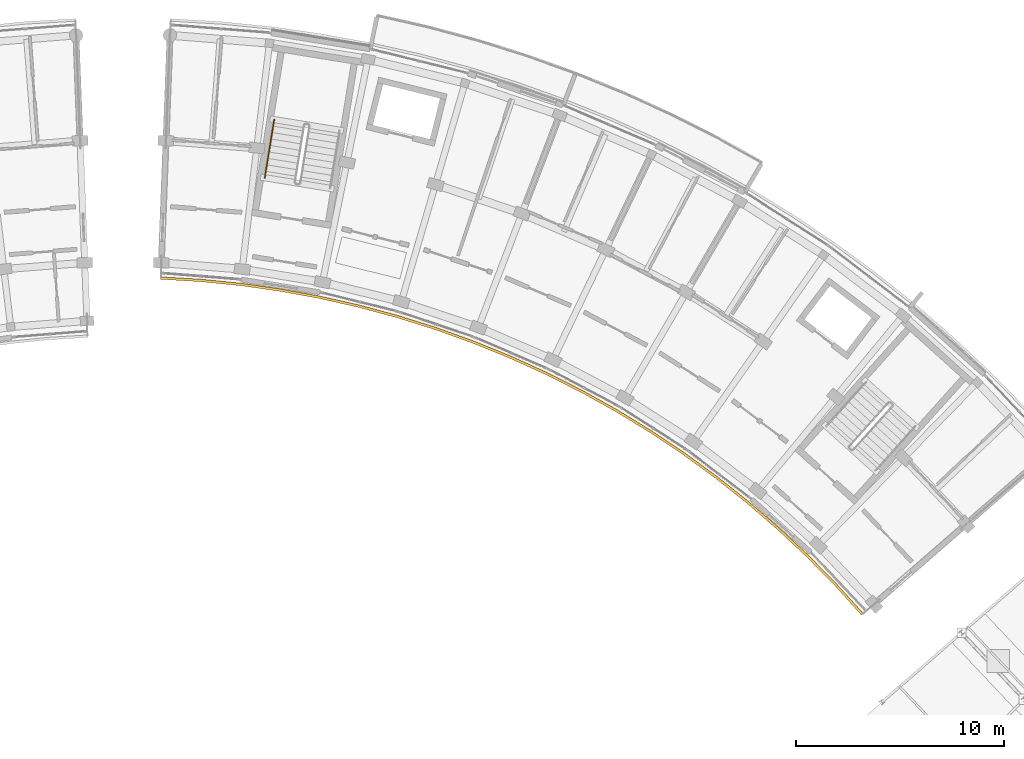
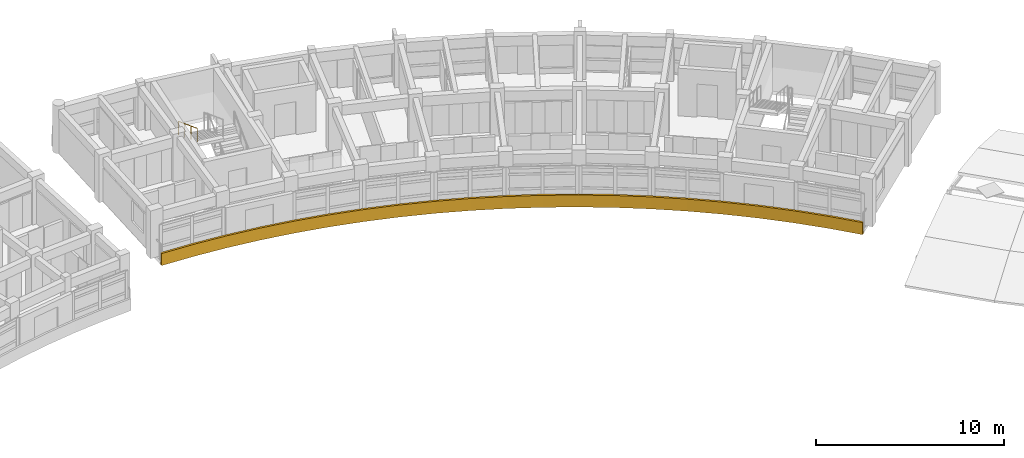
# One storey, part 36 of 40: 2 railings.
"""IFC4 building model written with IfcOpenShell, lengths in metres."""

from ifc_helpers import new_model, si_unit, direction, frame, origin, origin_2d, place, context, subcontext, project, spatial, polyline, circle, outline, extrude, material, type_object, element, save


model = new_model("IFC4")

# Units and contexts
model_context = context("Model", 3, precision=1e-05, world=origin(), true_north=direction((0.0, 1.0)))
body_context = subcontext(model_context, "Body", "Model", "MODEL_VIEW")
ifc_project = project(units=[si_unit("LENGTHUNIT", "METRE"), si_unit("AREAUNIT", "SQUARE_METRE"), si_unit("VOLUMEUNIT", "CUBIC_METRE"), si_unit("PLANEANGLEUNIT", "RADIAN"), si_unit("MASSUNIT", "GRAM", prefix="KILO")], contexts=[model_context])

# Site, building, storey
site_placement = place(None, origin())
site = spatial("IfcSite", under=ifc_project, at=site_placement, CompositionType="ELEMENT")
building_placement = place(site_placement, origin())
building = spatial("IfcBuilding", under=site, at=building_placement, Name="Zimvara Arc Housing Community", CompositionType="ELEMENT")
storey_placement = place(building_placement, frame((0.0, 0.0, 32.89990234375)))
storey = spatial("IfcBuildingStorey", under=building, at=storey_placement, Name="L10", CompositionType="ELEMENT", Elevation=32.89990234375)

# Railings
ifc_material_1 = material(Name="Pale-Gold Anodised Aluminium AW-6063", Category="aluminium")
railing_type_1 = type_object("IfcRailingType", Name="RLG-FAS-780", PredefinedType="BALUSTRADE", material=ifc_material_1)
railing_1_placement = place(storey_placement, frame((0.0, 0.0, -0.219970703125)))
element("IfcRailing", 1, at=railing_1_placement, inside=storey, type_object=railing_type_1, Name="rlg:blkB:L10:gold_in", PredefinedType="BALUSTRADE", context=body_context, shape_type="SweptSolid", body=[
    extrude(outline(polyline([(46.808837890625, 91.585205078125), (48.729736328125, 91.47216796875), (50.64453125, 91.28076171875), (52.5498046875, 91.01123046875), (54.442626953125, 90.664306640625), (56.319580078125, 90.240234375), (58.177734375, 89.73974609375), (60.013671875, 89.1640625), (61.824951171875, 88.513916015625), (63.60791015625, 87.790283203125), (65.35986328125, 86.994384765625), (67.077880859375, 86.127685546875), (68.759033203125, 85.19140625), (70.400634765625, 84.1875), (72.0, 83.1171875), (73.55419921875, 81.982666015625), (75.060791015625, 80.78564453125), (76.51708984375, 79.528076171875), (77.921142578125, 78.2119140625), (79.27001953125, 76.839599609375), (80.56201171875, 75.41357421875), (80.652587890625, 75.4921875), (79.357421875, 76.922119140625), (78.0048828125, 78.2978515625), (76.597412109375, 79.6171875), (75.13720703125, 80.8779296875), (73.626953125, 82.078125), (72.06884765625, 83.215576171875), (70.46533203125, 84.28857421875), (68.819580078125, 85.295166015625), (67.134033203125, 86.233642578125), (65.41162109375, 87.1025390625), (63.6552734375, 87.900390625), (61.86767578125, 88.6259765625), (60.052001953125, 89.27783203125), (58.211181640625, 89.85498046875), (56.348388671875, 90.356689453125), (54.466552734375, 90.78173828125), (52.569091796875, 91.129638671875), (50.658935546875, 91.39990234375), (48.7392578125, 91.591796875), (46.8134765625, 91.705078125), (46.808837890625, 91.585205078125)])), origin(), (0.0, 0.0, 1.0), 0.780029296875),
])
ifc_material_2 = material(Name="Anodised Aluminium AW-6063", Category="aluminium")
railing_type_2 = type_object("IfcRailingType", Name="RLG-HND-900", PredefinedType="HANDRAIL", material=ifc_material_2)
railing_2_placement = place(storey_placement, frame((52.280517578125, 99.276123046875, 1.705078125)))
element("IfcRailing", 2, at=railing_2_placement, inside=storey, type_object=railing_type_2, Name="L10 ST-B1 stair handrail 2", PredefinedType="HANDRAIL", context=body_context, shape_type="SweptSolid", body=[
    extrude(circle(Radius=0.02392578125, at=origin_2d()), frame((0.0, 0.0, 0.8759765625), z_axis=(-0.143721784145, -0.885666177347, 0.441519502474), x_axis=(0.987087819028, -0.160180016, 0.0)), (0.0, 0.0, 1.0), 3.15966796875),
    extrude(circle(Radius=0.02099609375, at=origin_2d()), origin(), (0.0, 0.0, 1.0), 0.851806640625),
    extrude(circle(Radius=0.02099609375, at=origin_2d()), frame((-0.1513671875, -0.932861328125, 0.465087890625)), (0.0, 0.0, 1.0), 0.851806640625),
    extrude(circle(Radius=0.02099609375, at=origin_2d()), frame((-0.302734375, -1.865478515625, 0.929931640625)), (0.0, 0.0, 1.0), 0.851806640625),
    extrude(circle(Radius=0.02099609375, at=origin_2d()), frame((-0.4541015625, -2.79833984375, 1.39501953125)), (0.0, 0.0, 1.0), 0.851806640625),
])

save(model, "model.ifc")
